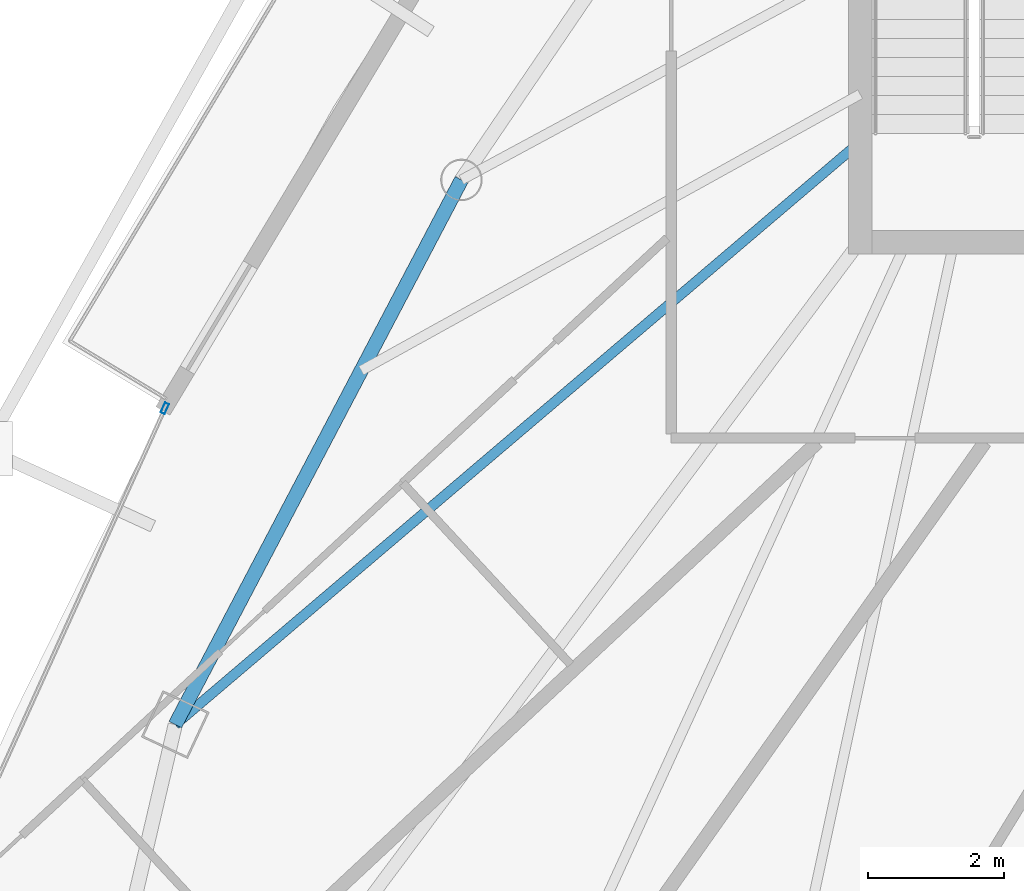
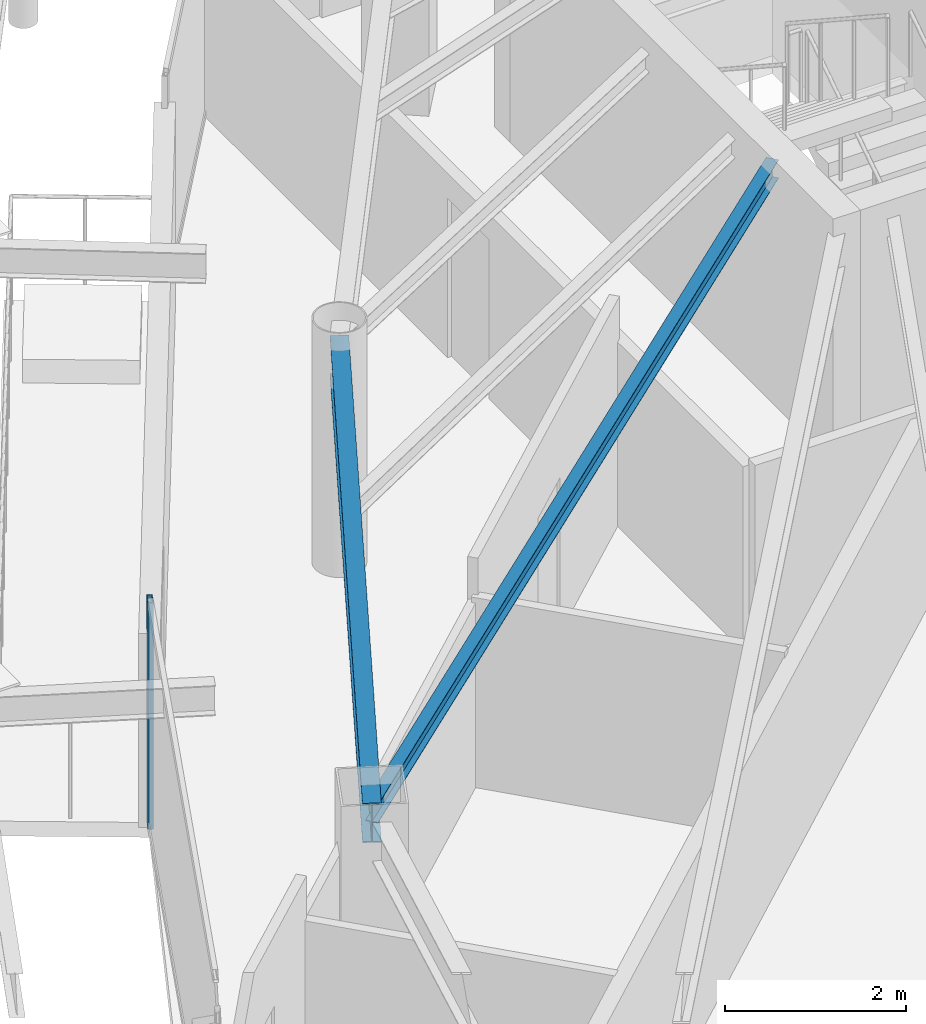
# One storey, part 10 of 32: 2 beams, 1 member, 1 element without a shape of its own.
"""IFC4 building model written with IfcOpenShell, lengths in metres."""

from ifc_helpers import new_model, si_unit, direction, frame, origin, origin_2d, place, context, subcontext, project, spatial, hollow_rectangle, i_section, extrude, material, layer, layer_set, material_profile, profile_set, type_object, element, aggregate, save


model = new_model("IFC4")

# Units and contexts
model_context = context("Model", 3, precision=1e-05, world=origin(), true_north=direction((0.0, 1.0)))
body_context = subcontext(model_context, "Body", "Model", "MODEL_VIEW")
ifc_project = project(units=[si_unit("LENGTHUNIT", "METRE"), si_unit("AREAUNIT", "SQUARE_METRE"), si_unit("VOLUMEUNIT", "CUBIC_METRE"), si_unit("PLANEANGLEUNIT", "RADIAN"), si_unit("MASSUNIT", "GRAM", prefix="KILO")], contexts=[model_context])

# Site, building, storey
site_placement = place(None, origin())
site = spatial("IfcSite", under=ifc_project, at=site_placement, CompositionType="ELEMENT")
building_placement = place(site_placement, origin())
building = spatial("IfcBuilding", under=site, at=building_placement, Name="Orvanel Arch Residences", CompositionType="ELEMENT")
storey_placement = place(building_placement, frame((0.0, 0.0, 222.800048828125)))
storey = spatial("IfcBuildingStorey", under=building, at=storey_placement, Name="L63", CompositionType="ELEMENT", Elevation=222.800048828125)

# Beam
ifc_material_1 = material(Name="Structural steel AS/NZS 3679.1 Grade 300 (300 MPa)", Category="steel")
ifc_material_profile_1 = material_profile(ifc_material_1, i_section(OverallWidth=0.14599609375, OverallDepth=0.251953125, WebThickness=0.006103515625, FlangeThickness=0.008544921875, at=origin_2d()), Name="250UB31.4")
ifc_profile_set_1 = profile_set([ifc_material_profile_1], Name="Structural steel AS/NZS 3679.1 Grade 300 (300 MPa)")
beam_type_1 = type_object("IfcBeamType", Name="BJ-250UB", PredefinedType="JOIST", material=ifc_profile_set_1)
beam_1_placement = place(storey_placement, frame((26.425048828125, 28.199951171875, 2.933837890625), z_axis=(-0.761622669031, -0.64802076357, 0.0), x_axis=(0.64802076357, -0.761622669031, 0.0)))
element("IfcBeam", 1, at=beam_1_placement, inside=storey, type_object=beam_type_1, Name="L63 W Wing Floor Joist", PredefinedType="JOIST", context=body_context, shape_type="SweptSolid", body=[
    extrude(i_section(OverallWidth=0.14599609375, OverallDepth=0.251953125, WebThickness=0.006103515625, FlangeThickness=0.008544921875, at=origin_2d()), origin(), (0.0, 0.0, 1.0), 13.2060546875),
])

# Curtain wall, member
ifc_material_2 = material(Name="Bronze-anodised aluminium AA6063-T6", Category="aluminium")
ifc_layer = layer(ifc_material_2, 0.175048828125)
ifc_layer_set = layer_set([ifc_layer], Name="Bronze-anodised aluminium AA6063-T6")
curtain_wall_type = type_object("IfcCurtainWallType", Name="CW4-HI-SYS", PredefinedType="NOTDEFINED", material=ifc_layer_set)
curtain_wall_placement = place(storey_placement, origin())
curtain_wall = element("IfcCurtainWall", 2, at=curtain_wall_placement, inside=storey, type_object=curtain_wall_type, Name="L63 CW4-HI-SYS Unitised Curtain Wall", PredefinedType="NOTDEFINED")
ifc_material_profile_2 = material_profile(ifc_material_2, hollow_rectangle(XDim=0.06494140625, YDim=0.159912109375, WallThickness=0.00390625, at=origin_2d()), Name="ALU160x65x4")
ifc_profile_set_2 = profile_set([ifc_material_profile_2], Name="Bronze-anodised aluminium AA6063-T6")
member_type = type_object("IfcMemberType", Name="MUL-160x65", PredefinedType="MULLION", material=ifc_profile_set_2)
member_placement = place(storey_placement, frame((16.213623046875, 24.286376953125, 0.0), z_axis=(0.0, 0.0, 1.0), x_axis=(0.911480004164, -0.411344383709, 0.0)))
member = element("IfcMember", 3, at=member_placement, type_object=member_type, Name="CW-S4 mullion 1", PredefinedType="MULLION", context=body_context, shape_type="SweptSolid", body=[
    extrude(hollow_rectangle(XDim=0.06494140625, YDim=0.159912109375, WallThickness=0.00390625, at=origin_2d()), origin(), (0.0, 0.0, 1.0), 3.06005859375),
])
aggregate(curtain_wall, [member])

# Beam
ifc_material_profile_3 = material_profile(ifc_material_1, i_section(OverallWidth=0.208984375, OverallDepth=0.532958984375, WebThickness=0.01025390625, FlangeThickness=0.015625, at=origin_2d()), Name="530UB92.4")
ifc_profile_set_3 = profile_set([ifc_material_profile_3], Name="Structural steel AS/NZS 3679.1 Grade 300 (300 MPa)")
beam_type_2 = type_object("IfcBeamType", Name="SP-530UB", PredefinedType="SPANDREL", material=ifc_profile_set_3)
beam_2_placement = place(storey_placement, frame((20.569091796875, 27.64111328125, 2.7939453125), z_axis=(-0.465064762793, -0.885276660942, 0.0), x_axis=(0.885276660942, -0.465064762793, 0.0)))
element("IfcBeam", 4, at=beam_2_placement, inside=storey, type_object=beam_type_2, Name="L63 Perimeter Spandrel Beam 12", PredefinedType="SPANDREL", context=body_context, shape_type="SweptSolid", body=[
    extrude(i_section(OverallWidth=0.208984375, OverallDepth=0.532958984375, WebThickness=0.01025390625, FlangeThickness=0.015625, at=origin_2d()), origin(), (0.0, 0.0, 1.0), 9.03564453125),
])

save(model, "model.ifc")
